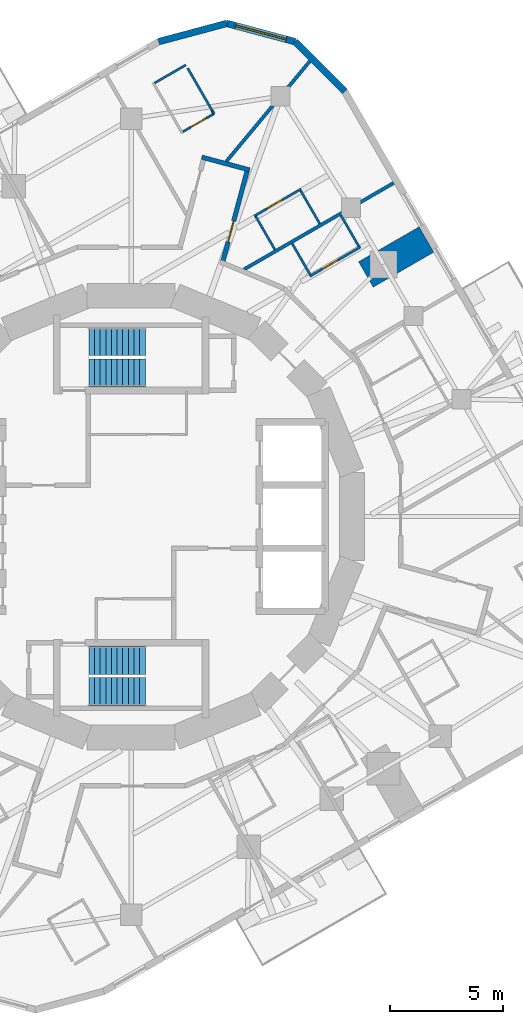
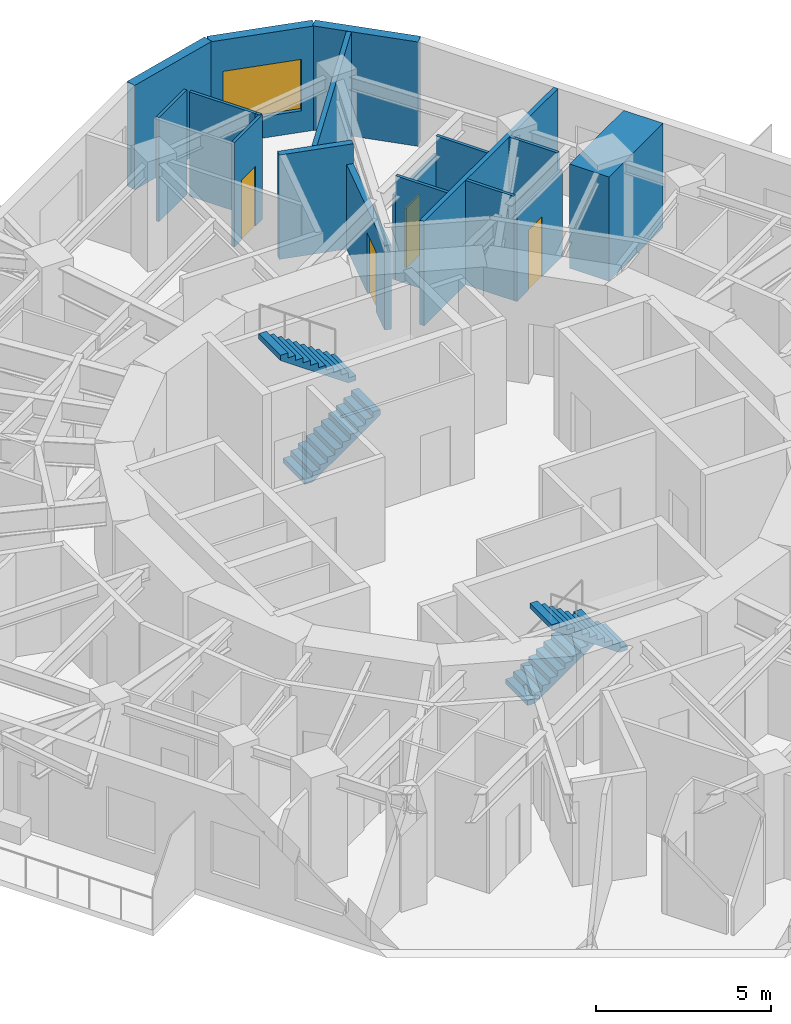
# One storey, part 9 of 11: 18 walls, 4 doors, 4 stair flights, 1 window, 5 openings, 2 elements without a shape of their own.
"""IFC4 building model written with IfcOpenShell, lengths in metres."""

from ifc_helpers import new_model, si_unit, direction, frame, frame_2d, origin, place, context, subcontext, project, spatial, polyline, rectangle, outline, extrude, material, layer, layer_set, type_object, element, fill, aggregate, save


model = new_model("IFC4")

# Units and contexts
model_context = context("Model", 3, precision=1e-05, world=origin(), true_north=direction((0.0, 1.0)))
body_context = subcontext(model_context, "Body", "Model", "MODEL_VIEW")
ifc_project = project(units=[si_unit("LENGTHUNIT", "METRE"), si_unit("AREAUNIT", "SQUARE_METRE"), si_unit("VOLUMEUNIT", "CUBIC_METRE"), si_unit("PLANEANGLEUNIT", "RADIAN"), si_unit("MASSUNIT", "GRAM", prefix="KILO")], contexts=[model_context])

# Site, building, storey
site_placement = place(None, origin())
site = spatial("IfcSite", under=ifc_project, at=site_placement, CompositionType="ELEMENT")
building_placement = place(site_placement, origin())
building = spatial("IfcBuilding", under=site, at=building_placement, Name="Nakasero Lantern House", CompositionType="ELEMENT")
storey_placement = place(building_placement, frame((0.0, 0.0, 242.35009765625)))
storey = spatial("IfcBuildingStorey", under=building, at=storey_placement, Name="L59", CompositionType="ELEMENT", Elevation=242.35009765625)

# Wall
ifc_material_1 = material(Name="Blockwork", Category="masonry")
ifc_layer_1 = layer(ifc_material_1, 1.300048828125)
ifc_layer_set_1 = layer_set([ifc_layer_1], Name="Column pier 1300")
wall_type_1 = type_object("IfcWallType", Name="Column pier 1300", PredefinedType="PARTITIONING", material=ifc_layer_set_1)
wall_1_placement = place(storey_placement, frame((10.4208984375, 10.75048828125, 0.0), z_axis=(0.0, 0.0, 1.0), x_axis=(0.866063626216, 0.499933790963, 0.0)))
element("IfcWall", 1, at=wall_1_placement, inside=storey, type_object=wall_type_1, Name="Column pier L59 PN0-05", PredefinedType="PARTITIONING", context=body_context, shape_type="SweptSolid", body=[
    extrude(rectangle(XDim=3.10009765625, YDim=1.300048828125, at=frame_2d((1.550048828125, 0.0))), origin(), (0.0, 0.0, 1.0), 3.64990234375),
])

# Wall, opening, door
ifc_material_2 = material(Name="Blockwork", Category="masonry")
ifc_layer_2 = layer(ifc_material_2, 0.199951171875)
ifc_layer_set_2 = layer_set([ifc_layer_2], Name="Corridor wall 200")
wall_type_2 = type_object("IfcWallType", Name="Corridor wall 200", PredefinedType="PARTITIONING", material=ifc_layer_set_2)
wall_2_placement = place(storey_placement, frame((4.053466796875, 11.26416015625, 0.0), z_axis=(0.0, 0.0, 1.0), x_axis=(0.258841611204, 0.965919779438, 0.0)))
wall_2 = element("IfcWall", 2, at=wall_2_placement, inside=storey, type_object=wall_type_2, Name="Corridor wall L59 SP0a", PredefinedType="PARTITIONING", context=body_context, shape_type="SweptSolid", body=[
    extrude(rectangle(XDim=4.394287109375, YDim=0.199951171875, at=frame_2d((2.197265625, 0.0))), origin(), (0.0, 0.0, 1.0), 2.95703125),
])
opening_1_placement = place(wall_2_placement, frame((0.969970703125, 0.0, 0.0)))
opening_1 = element("IfcOpeningElement", 3, at=opening_1_placement, cuts=wall_2, Name="Opening D01", PredefinedType="OPENING", context=body_context, shape_type="SweptSolid", body=[
    extrude(rectangle(XDim=0.949951171875, YDim=2.10009765625, at=frame_2d((0.47509765625, 1.050048828125))), frame((0.0, 0.119873046875, 0.0), z_axis=(0.0, -1.0, 0.0), x_axis=(1.0, 0.0, 0.0)), (0.0, 0.0, 1.0), 0.239990234375),
])
ifc_material_3 = material(Name="Timber C24", Category="wood")
door_type_1 = type_object("IfcDoorType", Name="Bedroom door FD30S 950", OperationType="SINGLE_SWING_LEFT", PredefinedType="DOOR", material=ifc_material_3)
door_1_placement = place(opening_1_placement, origin())
door_1 = element("IfcDoor", 4, at=door_1_placement, inside=storey, type_object=door_type_1, Name="Door L59 D0-06", OperationType="SINGLE_SWING_LEFT", OverallHeight=2.10009765625, OverallWidth=0.949951171875, PredefinedType="DOOR", context=body_context, shape_type="SweptSolid", body=[
    extrude(rectangle(XDim=0.949951171875, YDim=2.10009765625, at=frame_2d((0.47509765625, 1.050048828125))), frame((0.0, 0.02490234375, 0.0), z_axis=(0.0, -1.0, 0.0), x_axis=(1.0, 0.0, 0.0)), (0.0, 0.0, 1.0), 0.050048828125),
])
fill(opening_1, door_1)

# Wall
wall_3_placement = place(storey_placement, frame((5.261474609375, 15.38623046875, 0.0), z_axis=(0.0, 0.0, 1.0), x_axis=(-0.965904454439, 0.258898792763, 0.0)))
element("IfcWall", 5, at=wall_3_placement, inside=storey, type_object=wall_type_2, Name="Corridor wall L59 SP0e", PredefinedType="PARTITIONING", context=body_context, shape_type="SweptSolid", body=[
    extrude(rectangle(XDim=2.199951171875, YDim=0.199951171875, at=frame_2d((1.10009765625, 0.0))), origin(), (0.0, 0.0, 1.0), 3.64990234375),
])

# Wall, opening, door
ifc_material_4 = material(Name="Blockwork", Category="masonry")
ifc_layer_3 = layer(ifc_material_4, 0.10009765625)
ifc_layer_set_3 = layer_set([ifc_layer_3], Name="En-suite wall 100")
wall_type_3 = type_object("IfcWallType", Name="En-suite wall 100", PredefinedType="PARTITIONING", material=ifc_layer_set_3)
wall_4_placement = place(storey_placement, frame((7.92822265625, 10.667724609375, 0.0), z_axis=(0.0, 0.0, 1.0), x_axis=(0.866021400173, 0.500006934395, 0.0)))
wall_4 = element("IfcWall", 6, at=wall_4_placement, inside=storey, type_object=wall_type_3, Name="En-suite wall L59 ES0-04", PredefinedType="PARTITIONING", context=body_context, shape_type="SweptSolid", body=[
    extrude(rectangle(XDim=2.60009765625, YDim=0.10009765625, at=frame_2d((1.300048828125, 0.0))), origin(), (0.0, 0.0, 1.0), 3.03759765625),
])
opening_2_placement = place(wall_4_placement, frame((0.64990234375, 0.0, 0.0)))
opening_2 = element("IfcOpeningElement", 7, at=opening_2_placement, cuts=wall_4, Name="Opening D02", PredefinedType="OPENING", context=body_context, shape_type="SweptSolid", body=[
    extrude(rectangle(XDim=0.800048828125, YDim=2.10009765625, at=frame_2d((0.39990234375, 1.050048828125))), frame((0.0, 0.070068359375, 0.0), z_axis=(0.0, -1.0, 0.0), x_axis=(1.0, 0.0, 0.0)), (0.0, 0.0, 1.0), 0.14013671875),
])
ifc_material_5 = material(Name="Timber C24", Category="wood")
door_type_2 = type_object("IfcDoorType", Name="En-suite door 800", OperationType="SINGLE_SWING_RIGHT", PredefinedType="DOOR", material=ifc_material_5)
door_2_placement = place(opening_2_placement, origin())
door_2 = element("IfcDoor", 8, at=door_2_placement, inside=storey, type_object=door_type_2, Name="Door L59 DE0-04", OperationType="SINGLE_SWING_LEFT", OverallHeight=2.10009765625, OverallWidth=0.800048828125, PredefinedType="DOOR", context=body_context, shape_type="SweptSolid", body=[
    extrude(rectangle(XDim=0.800048828125, YDim=2.10009765625, at=frame_2d((0.39990234375, 1.050048828125))), frame((0.0, 0.02490234375, 0.0), z_axis=(0.0, -1.0, 0.0), x_axis=(1.0, 0.0, 0.0)), (0.0, 0.0, 1.0), 0.050048828125),
])
fill(opening_2, door_2)

# Walls
for number, where, z_axis, x_axis, name in (
    (9, (10.111572265625, 11.986083984375, 0.0), (0.0, 0.0, 1.0), (-0.499947031044, 0.866055983265, 0.0), "En-suite wall L59 EE0-04"),
    (10, (7.946533203125, 10.736083984375, 0.0), (0.0, 0.0, 1.0), (-0.499947031044, 0.866055983265, 0.0), "En-suite wall L59 EI0-04"),
):
    element("IfcWall", number, at=place(storey_placement, frame(where, z_axis=z_axis, x_axis=x_axis)), inside=storey, type_object=wall_type_3, Name=name, PredefinedType="PARTITIONING", context=body_context, shape_type="SweptSolid", body=[
        extrude(rectangle(XDim=1.599853515625, YDim=0.10009765625, at=frame_2d((0.7998046875, 0.0))), origin(), (0.0, 0.0, 1.0), 3.64990234375),
    ])

# Wall, opening, door
wall_5_placement = place(storey_placement, frame((5.46044921875, 13.342041015625, 0.0), z_axis=(0.0, 0.0, 1.0), x_axis=(0.866006032174, 0.500033551112, 0.0)))
wall_5 = element("IfcWall", 11, at=wall_5_placement, inside=storey, type_object=wall_type_3, Name="En-suite wall L59 ES0-06", PredefinedType="PARTITIONING", context=body_context, shape_type="SweptSolid", body=[
    extrude(rectangle(XDim=2.400146484375, YDim=0.10009765625, at=frame_2d((1.2001953125, 0.0))), origin(), (0.0, 0.0, 1.0), 2.96630859375),
])
opening_3_placement = place(wall_5_placement, frame((0.64990234375, 0.0, 0.0)))
opening_3 = element("IfcOpeningElement", 12, at=opening_3_placement, cuts=wall_5, Name="Opening D02", PredefinedType="OPENING", context=body_context, shape_type="SweptSolid", body=[
    extrude(rectangle(XDim=0.800048828125, YDim=2.10009765625, at=frame_2d((0.39990234375, 1.050048828125))), frame((0.0, 0.070068359375, 0.0), z_axis=(0.0, -1.0, 0.0), x_axis=(1.0, 0.0, 0.0)), (0.0, 0.0, 1.0), 0.14013671875),
])
door_3_placement = place(opening_3_placement, origin())
door_3 = element("IfcDoor", 13, at=door_3_placement, inside=storey, type_object=door_type_2, Name="Door L59 DE0-06", OperationType="SINGLE_SWING_LEFT", OverallHeight=2.10009765625, OverallWidth=0.800048828125, PredefinedType="DOOR", context=body_context, shape_type="SweptSolid", body=[
    extrude(rectangle(XDim=0.800048828125, YDim=2.10009765625, at=frame_2d((0.39990234375, 1.050048828125))), frame((0.0, 0.02490234375, 0.0), z_axis=(0.0, -1.0, 0.0), x_axis=(1.0, 0.0, 0.0)), (0.0, 0.0, 1.0), 0.050048828125),
])
fill(opening_3, door_3)

# Walls
for number, where, z_axis, x_axis, name in (
    (14, (8.37060546875, 13.001708984375, 0.0), (0.0, 0.0, 1.0), (-0.499954529098, 0.86605165483, 0.0), "En-suite wall L59 EE0-06"),
    (15, (6.37890625, 11.8515625, 0.0), (0.0, 0.0, 1.0), (-0.500062241894, 0.865989465428, 0.0), "En-suite wall L59 EI0-06"),
):
    element("IfcWall", number, at=place(storey_placement, frame(where, z_axis=z_axis, x_axis=x_axis)), inside=storey, type_object=wall_type_3, Name=name, PredefinedType="PARTITIONING", context=body_context, shape_type="SweptSolid", body=[
        extrude(rectangle(XDim=1.699951171875, YDim=0.10009765625, at=frame_2d((0.85009765625, 0.0))), origin(), (0.0, 0.0, 1.0), 3.64990234375),
    ])
wall_6_placement = place(storey_placement, frame((2.425537109375, 20.048828125, 0.0), z_axis=(0.0, 0.0, 1.0), x_axis=(-0.865989903783, -0.500061482766, 0.0)))
element("IfcWall", 16, at=wall_6_placement, inside=storey, type_object=wall_type_3, Name="En-suite wall L59 EE1-00", PredefinedType="PARTITIONING", context=body_context, shape_type="SweptSolid", body=[
    extrude(rectangle(XDim=1.599853515625, YDim=0.10009765625, at=frame_2d((0.7998046875, 0.0))), origin(), (0.0, 0.0, 1.0), 3.64990234375),
])

# Wall, opening, door
wall_7_placement = place(storey_placement, frame((3.675537109375, 17.8837890625, 0.0), z_axis=(0.0, 0.0, 1.0), x_axis=(-0.865989903783, -0.500061482766, 0.0)))
wall_7 = element("IfcWall", 17, at=wall_7_placement, inside=storey, type_object=wall_type_3, Name="En-suite wall L59 EI1-00", PredefinedType="PARTITIONING", context=body_context, shape_type="SweptSolid", body=[
    extrude(rectangle(XDim=1.599853515625, YDim=0.10009765625, at=frame_2d((0.7998046875, 0.0))), origin(), (0.0, 0.0, 1.0), 3.64990234375),
])
opening_4_placement = place(wall_7_placement, frame((0.39990234375, 0.0, 0.0)))
opening_4 = element("IfcOpeningElement", 18, at=opening_4_placement, cuts=wall_7, Name="Opening D02", PredefinedType="OPENING", context=body_context, shape_type="SweptSolid", body=[
    extrude(rectangle(XDim=0.800048828125, YDim=2.10009765625, at=frame_2d((0.39990234375, 1.050048828125))), frame((0.0, 0.070068359375, 0.0), z_axis=(0.0, -1.0, 0.0), x_axis=(1.0, 0.0, 0.0)), (0.0, 0.0, 1.0), 0.14013671875),
])
door_4_placement = place(opening_4_placement, origin())
door_4 = element("IfcDoor", 19, at=door_4_placement, inside=storey, type_object=door_type_2, Name="Door L59 DE1-00", OperationType="SINGLE_SWING_LEFT", OverallHeight=2.10009765625, OverallWidth=0.800048828125, PredefinedType="DOOR", context=body_context, shape_type="SweptSolid", body=[
    extrude(rectangle(XDim=0.800048828125, YDim=2.10009765625, at=frame_2d((0.39990234375, 1.050048828125))), frame((0.0, 0.02490234375, 0.0), z_axis=(0.0, -1.0, 0.0), x_axis=(1.0, 0.0, 0.0)), (0.0, 0.0, 1.0), 0.050048828125),
])
fill(opening_4, door_4)

# Walls
wall_8_placement = place(storey_placement, frame((3.595458984375, 18.022216796875, 0.0), z_axis=(0.0, 0.0, 1.0), x_axis=(-0.499945432413, 0.866056906104, 0.0)))
element("IfcWall", 20, at=wall_8_placement, inside=storey, type_object=wall_type_3, Name="En-suite wall L59 EX001", PredefinedType="PARTITIONING", context=body_context, shape_type="SweptSolid", body=[
    extrude(rectangle(XDim=2.179931640625, YDim=0.10009765625, at=frame_2d((1.08984375, 0.0))), origin(), (0.0, 0.0, 1.0), 3.64990234375),
])
wall_9_placement = place(storey_placement, frame((3.675537109375, 17.8837890625, 0.0), z_axis=(0.0, 0.0, 1.0), x_axis=(-0.500735348028, 0.865600433939, 0.0)))
element("IfcWall", 21, at=wall_9_placement, inside=storey, type_object=wall_type_3, Name="En-suite wall L59 EI1-00R0", PredefinedType="PARTITIONING", context=body_context, shape_type="SweptSolid", body=[
    extrude(rectangle(XDim=0.159912109375, YDim=0.10009765625, at=frame_2d((0.080078125, 0.0))), origin(), (0.0, 0.0, 1.0), 3.64990234375),
])
ifc_material_6 = material(Name="Aluminium rainscreen on blockwork", Category="masonry")
ifc_layer_4 = layer(ifc_material_6, 0.300048828125)
ifc_layer_set_4 = layer_set([ifc_layer_4], Name="Facade wall 300")
wall_type_4 = type_object("IfcWallType", Name="Facade wall 300", PredefinedType="SOLIDWALL", material=ifc_layer_set_4)
wall_10_placement = place(storey_placement, frame((9.4853515625, 18.870849609375, 0.0), z_axis=(0.0, 0.0, 1.0), x_axis=(-0.707067801733, 0.707145758492, 0.0)))
element("IfcWall", 22, at=wall_10_placement, inside=storey, type_object=wall_type_4, Name="Facade wall L59 FW0C1", PredefinedType="SOLIDWALL", context=body_context, shape_type="SweptSolid", body=[
    extrude(rectangle(XDim=3.1318359375, YDim=0.300048828125, at=frame_2d((1.56591796875, 0.0))), origin(), (0.0, 0.0, 1.0), 3.64990234375),
])

# Wall, opening, window
wall_11_placement = place(storey_placement, frame((7.27099609375, 21.08544921875, 0.0), z_axis=(0.0, 0.0, 1.0), x_axis=(-0.965928914048, 0.258807521156, 0.0)))
wall_11 = element("IfcWall", 23, at=wall_11_placement, inside=storey, type_object=wall_type_4, Name="Facade wall L59 FW0C2", PredefinedType="SOLIDWALL", context=body_context, shape_type="SweptSolid", body=[
    extrude(rectangle(XDim=3.1318359375, YDim=0.300048828125, at=frame_2d((1.56591796875, 0.0))), origin(), (0.0, 0.0, 1.0), 3.64990234375),
])
opening_5_placement = place(wall_11_placement, frame((0.39990234375, 0.0, 0.75)))
opening_5 = element("IfcOpeningElement", 24, at=opening_5_placement, cuts=wall_11, Name="Opening W223", PredefinedType="OPENING", context=body_context, shape_type="SweptSolid", body=[
    extrude(rectangle(XDim=2.33203125, YDim=1.800048828125, at=frame_2d((1.166015625, 0.89990234375))), frame((0.0, 0.169921875, 0.0), z_axis=(0.0, -1.0, 0.0), x_axis=(1.0, 0.0, 0.0)), (0.0, 0.0, 1.0), 0.340087890625),
])
ifc_material_7 = material(Name="Aluminium 6063-T6 and glass", Category="aluminium")
window_type = type_object("IfcWindowType", Name="Corner window 2332x1800", PartitioningType="SINGLE_PANEL", PredefinedType="WINDOW", material=ifc_material_7)
window_placement = place(opening_5_placement, origin())
window = element("IfcWindow", 25, at=window_placement, inside=storey, type_object=window_type, Name="Window L59 WC0", OverallHeight=1.800048828125, OverallWidth=2.33203125, PartitioningType="SINGLE_PANEL", PredefinedType="WINDOW", context=body_context, shape_type="SweptSolid", body=[
    extrude(rectangle(XDim=2.33203125, YDim=1.800048828125, at=frame_2d((1.166015625, 0.89990234375))), frame((0.0, 0.030029296875, 0.0), z_axis=(0.0, -1.0, 0.0), x_axis=(1.0, 0.0, 0.0)), (0.0, 0.0, 1.0), 0.06005859375),
])
fill(opening_5, window)

# Walls
wall_12_placement = place(storey_placement, frame((4.245849609375, 21.89599609375, 0.0), z_axis=(0.0, 0.0, 1.0), x_axis=(-0.96592369199, -0.258827010283, 0.0)))
element("IfcWall", 26, at=wall_12_placement, inside=storey, type_object=wall_type_4, Name="Facade wall L59 FW0C3", PredefinedType="SOLIDWALL", context=body_context, shape_type="SweptSolid", body=[
    extrude(rectangle(XDim=3.131591796875, YDim=0.300048828125, at=frame_2d((1.56591796875, 0.0))), origin(), (0.0, 0.0, 1.0), 3.64990234375),
])
ifc_material_8 = material(Name="Blockwork", Category="masonry")
ifc_layer_5 = layer(ifc_material_8, 0.14990234375)
ifc_layer_set_5 = layer_set([ifc_layer_5], Name="Party wall 150")
wall_type_5 = type_object("IfcWallType", Name="Party wall 150", PredefinedType="PARTITIONING", material=ifc_layer_set_5)
wall_13_placement = place(storey_placement, frame((5.011474609375, 10.9755859375, 0.0), z_axis=(0.0, 0.0, 1.0), x_axis=(0.866033500054, 0.499985976588, 0.0)))
element("IfcWall", 27, at=wall_13_placement, inside=storey, type_object=wall_type_5, Name="Party wall L59 PW0-06", PredefinedType="PARTITIONING", context=body_context, shape_type="SweptSolid", body=[
    extrude(rectangle(XDim=7.672119140625, YDim=0.14990234375, at=frame_2d((3.8359375, 0.0))), origin(), (0.0, 0.0, 1.0), 3.64990234375),
])
wall_14_placement = place(storey_placement, frame((4.224853515625, 15.767578125, 0.0), z_axis=(0.0, 0.0, 1.0), x_axis=(0.639993357533, 0.768380441131, 0.0)))
element("IfcWall", 28, at=wall_14_placement, inside=storey, type_object=wall_type_5, Name="Party wall L59 PW1-00", PredefinedType="PARTITIONING", context=body_context, shape_type="SweptSolid", body=[
    extrude(rectangle(XDim=5.78271484375, YDim=0.14990234375, at=frame_2d((2.891357421875, 0.0))), origin(), (0.0, 0.0, 1.0), 3.64990234375),
])

# Stair, stair flights
ifc_material_9 = material(Name="Concrete C40/50", Category="concrete")
stair_type_1 = type_object("IfcStairType", Name="Escape stair ST1 22 risers", PredefinedType="HALF_TURN_STAIR", material=ifc_material_9)
stair_1_placement = place(storey_placement, origin())
stair_1 = element("IfcStair", 29, at=stair_1_placement, inside=storey, type_object=stair_type_1, Name="Escape stair ST1 L59", PredefinedType="HALF_TURN_STAIR")
ifc_material_10 = material(Name="Concrete C40/50", Category="concrete")
stair_flight_type = type_object("IfcStairFlightType", Name="Escape stair flight", PredefinedType="STRAIGHT", material=ifc_material_10)
stair_flight_1_placement = place(storey_placement, frame((-1.875, 6.375, 0.0), z_axis=(0.0, 0.0, 1.0), x_axis=(1.0, 0.0, 0.0)))
stair_flight_1 = element("IfcStairFlight", 30, at=stair_flight_1_placement, type_object=stair_flight_type, Name="ST1 flight 1", NumberOfRisers=11, NumberOfTreads=10, PredefinedType="STRAIGHT", RiserHeight=0.175, TreadLength=0.25, context=body_context, shape_type="SweptSolid", body=[
    extrude(outline(polyline([(0.0, 0.0), (0.0, 0.175048828125), (0.25, 0.175048828125), (0.25, 0.35009765625), (0.5, 0.35009765625), (0.5, 0.52490234375), (0.75, 0.52490234375), (0.75, 0.699951171875), (1.0, 0.699951171875), (1.0, 0.875), (1.25, 0.875), (1.25, 1.050048828125), (1.5, 1.050048828125), (1.5, 1.22509765625), (1.75, 1.22509765625), (1.75, 1.39990234375), (2.0, 1.39990234375), (2.0, 1.574951171875), (2.25, 1.574951171875), (2.25, 1.75), (2.5, 1.75), (2.5, 1.925048828125), (2.5, 1.567138671875), (0.261474609375, 0.0), (0.0, 0.0)])), frame((0.0, 0.625, 0.0), z_axis=(0.0, -1.0, 0.0), x_axis=(1.0, 0.0, 0.0)), (0.0, 0.0, 1.0), 1.25),
])
stair_flight_2_placement = place(storey_placement, frame((0.625, 7.77490234375, 1.9248046875), z_axis=(0.0, 0.0, 1.0), x_axis=(-1.0, 0.0, 0.0)))
stair_flight_2 = element("IfcStairFlight", 31, at=stair_flight_2_placement, type_object=stair_flight_type, Name="ST1 flight 2", NumberOfRisers=11, NumberOfTreads=10, PredefinedType="STRAIGHT", RiserHeight=0.175, TreadLength=0.25, context=body_context, shape_type="SweptSolid", body=[
    extrude(outline(polyline([(0.0, 0.0), (0.0, 0.175048828125), (0.25, 0.175048828125), (0.25, 0.35009765625), (0.5, 0.35009765625), (0.5, 0.52490234375), (0.75, 0.52490234375), (0.75, 0.699951171875), (1.0, 0.699951171875), (1.0, 0.875), (1.25, 0.875), (1.25, 1.050048828125), (1.5, 1.050048828125), (1.5, 1.22509765625), (1.75, 1.22509765625), (1.75, 1.39990234375), (2.0, 1.39990234375), (2.0, 1.574951171875), (2.25, 1.574951171875), (2.25, 1.75), (2.5, 1.75), (2.5, 1.925048828125), (2.5, 1.567138671875), (0.261474609375, 0.0), (0.0, 0.0)])), frame((0.0, 0.625, 0.0), z_axis=(0.0, -1.0, 0.0), x_axis=(1.0, 0.0, 0.0)), (0.0, 0.0, 1.0), 1.25),
])
aggregate(stair_1, [stair_flight_1, stair_flight_2])

ifc_material_11 = material(Name="Concrete C40/50", Category="concrete")
stair_type_2 = type_object("IfcStairType", Name="Escape stair ST2 22 risers", PredefinedType="HALF_TURN_STAIR", material=ifc_material_11)
stair_2_placement = place(storey_placement, origin())
stair_2 = element("IfcStair", 32, at=stair_2_placement, inside=storey, type_object=stair_type_2, Name="Escape stair ST2 L59", PredefinedType="HALF_TURN_STAIR")
stair_flight_3_placement = place(storey_placement, frame((-1.875, -6.375, 0.0), z_axis=(0.0, 0.0, 1.0), x_axis=(1.0, 0.0, 0.0)))
stair_flight_3 = element("IfcStairFlight", 33, at=stair_flight_3_placement, type_object=stair_flight_type, Name="ST2 flight 1", NumberOfRisers=11, NumberOfTreads=10, PredefinedType="STRAIGHT", RiserHeight=0.175, TreadLength=0.25, context=body_context, shape_type="SweptSolid", body=[
    extrude(outline(polyline([(0.0, 0.0), (0.0, 0.175048828125), (0.25, 0.175048828125), (0.25, 0.35009765625), (0.5, 0.35009765625), (0.5, 0.52490234375), (0.75, 0.52490234375), (0.75, 0.699951171875), (1.0, 0.699951171875), (1.0, 0.875), (1.25, 0.875), (1.25, 1.050048828125), (1.5, 1.050048828125), (1.5, 1.22509765625), (1.75, 1.22509765625), (1.75, 1.39990234375), (2.0, 1.39990234375), (2.0, 1.574951171875), (2.25, 1.574951171875), (2.25, 1.75), (2.5, 1.75), (2.5, 1.925048828125), (2.5, 1.567138671875), (0.261474609375, 0.0), (0.0, 0.0)])), frame((0.0, 0.625, 0.0), z_axis=(0.0, -1.0, 0.0), x_axis=(1.0, 0.0, 0.0)), (0.0, 0.0, 1.0), 1.25),
])
stair_flight_4_placement = place(storey_placement, frame((0.625, -7.77490234375, 1.9248046875), z_axis=(0.0, 0.0, 1.0), x_axis=(-1.0, 0.0, 0.0)))
stair_flight_4 = element("IfcStairFlight", 34, at=stair_flight_4_placement, type_object=stair_flight_type, Name="ST2 flight 2", NumberOfRisers=11, NumberOfTreads=10, PredefinedType="STRAIGHT", RiserHeight=0.175, TreadLength=0.25, context=body_context, shape_type="SweptSolid", body=[
    extrude(outline(polyline([(0.0, 0.0), (0.0, 0.175048828125), (0.25, 0.175048828125), (0.25, 0.35009765625), (0.5, 0.35009765625), (0.5, 0.52490234375), (0.75, 0.52490234375), (0.75, 0.699951171875), (1.0, 0.699951171875), (1.0, 0.875), (1.25, 0.875), (1.25, 1.050048828125), (1.5, 1.050048828125), (1.5, 1.22509765625), (1.75, 1.22509765625), (1.75, 1.39990234375), (2.0, 1.39990234375), (2.0, 1.574951171875), (2.25, 1.574951171875), (2.25, 1.75), (2.5, 1.75), (2.5, 1.925048828125), (2.5, 1.567138671875), (0.261474609375, 0.0), (0.0, 0.0)])), frame((0.0, 0.625, 0.0), z_axis=(0.0, -1.0, 0.0), x_axis=(1.0, 0.0, 0.0)), (0.0, 0.0, 1.0), 1.25),
])
aggregate(stair_2, [stair_flight_3, stair_flight_4])

save(model, "model.ifc")
